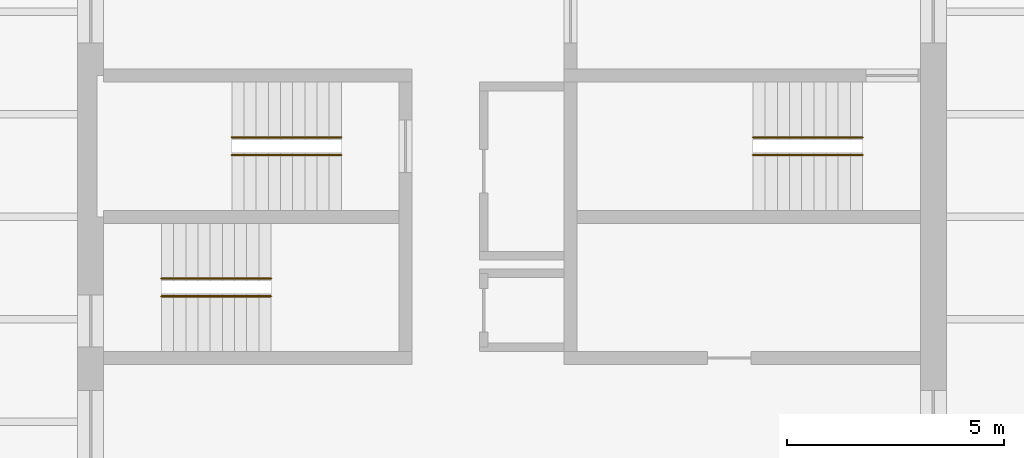
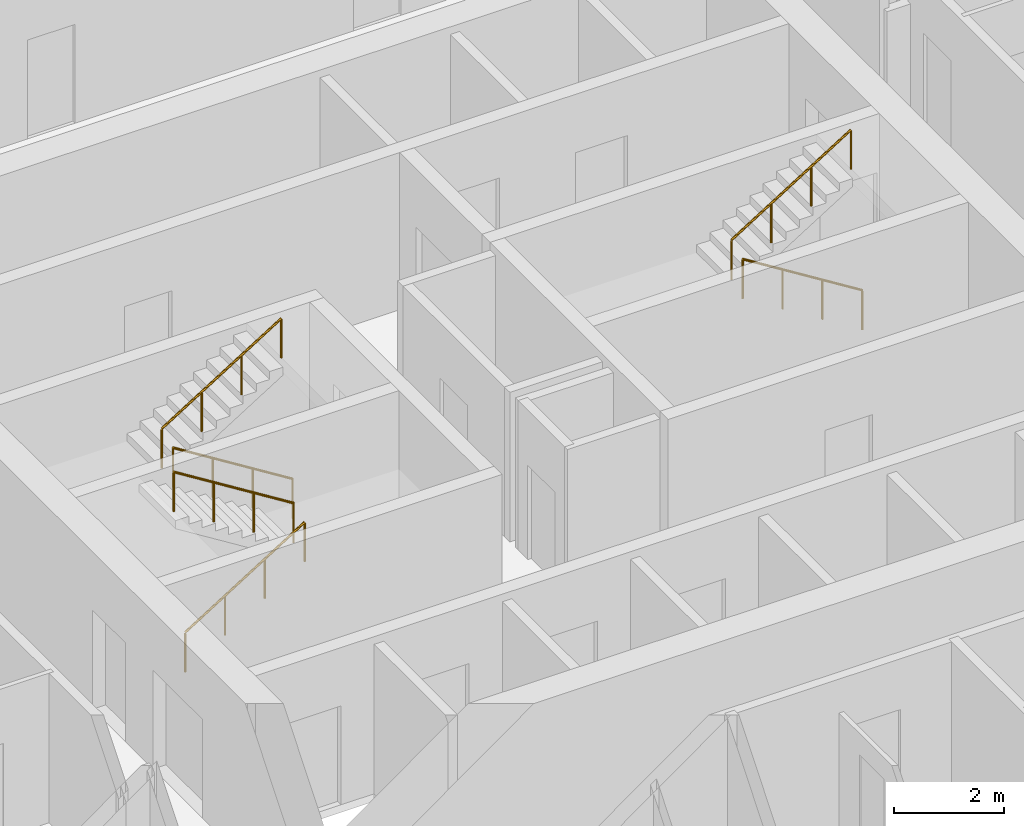
# One storey, part 9 of 9: 6 railings.
"""IFC4 building model written with IfcOpenShell, lengths in metres."""

from ifc_helpers import new_model, si_unit, direction, frame, origin, origin_2d, place, context, subcontext, project, spatial, circle, extrude, material, type_object, element, save


model = new_model("IFC4")

# Units and contexts
model_context = context("Model", 3, precision=1e-05, world=origin(), true_north=direction((0.0, 1.0)))
body_context = subcontext(model_context, "Body", "Model", "MODEL_VIEW")
ifc_project = project(units=[si_unit("LENGTHUNIT", "METRE"), si_unit("AREAUNIT", "SQUARE_METRE"), si_unit("VOLUMEUNIT", "CUBIC_METRE"), si_unit("PLANEANGLEUNIT", "RADIAN"), si_unit("MASSUNIT", "GRAM", prefix="KILO")], contexts=[model_context])

# Site, building, storey
site_placement = place(None, origin())
site = spatial("IfcSite", under=ifc_project, at=site_placement, CompositionType="ELEMENT")
building_placement = place(site_placement, origin())
building = spatial("IfcBuilding", under=site, at=building_placement, Name="Turquesa Mirador Hotel Tower", CompositionType="ELEMENT")
storey_placement = place(building_placement, frame((0.0, 0.0, 182.800048828125)))
storey = spatial("IfcBuildingStorey", under=building, at=storey_placement, Name="L49", CompositionType="ELEMENT", Elevation=182.800048828125)

# Railings
ifc_material = material(Name="Painted steel handrail", Category="steel")
railing_type = type_object("IfcRailingType", Name="HANDRAIL 900 STEEL", PredefinedType="HANDRAIL", material=ifc_material)
railing_1_placement = place(storey_placement, frame((51.070068359375, 46.419921875, 0.175048828125)))
element("IfcRailing", 1, at=railing_1_placement, inside=storey, type_object=railing_type, Name="Handrail ST1", PredefinedType="HANDRAIL", context=body_context, shape_type="SweptSolid", body=[
    extrude(circle(Radius=0.02392578125, at=origin_2d()), frame((0.0, 0.0, 0.8759765625), z_axis=(-0.848007534815, 0.0, 0.529984170421), x_axis=(0.0, -1.0, 0.0)), (0.0, 0.0, 1.0), 2.9716796875),
    extrude(circle(Radius=0.02099609375, at=origin_2d()), origin(), (0.0, 0.0, 1.0), 0.851806640625),
    extrude(circle(Radius=0.02099609375, at=origin_2d()), frame((-0.840087890625, 0.0, 0.52490234375)), (0.0, 0.0, 1.0), 0.851806640625),
    extrude(circle(Radius=0.02099609375, at=origin_2d()), frame((-1.679931640625, 0.0, 1.050048828125)), (0.0, 0.0, 1.0), 0.851806640625),
    extrude(circle(Radius=0.02099609375, at=origin_2d()), frame((-2.52001953125, 0.0, 1.574951171875)), (0.0, 0.0, 1.0), 0.851806640625),
])
for number, where, name in (
    (2, (48.550048828125, 46.830078125, 1.925048828125), "Handrail ST1"),
    (3, (46.929931640625, 43.169921875, 0.175048828125), "Handrail ST2"),
):
    element("IfcRailing", number, at=place(storey_placement, frame(where)), inside=storey, type_object=railing_type, Name=name, PredefinedType="HANDRAIL", context=body_context, shape_type="SweptSolid", body=[
        extrude(circle(Radius=0.02392578125, at=origin_2d()), frame((0.0, 0.0, 0.8759765625), z_axis=(0.848007534815, 0.0, 0.529984170421), x_axis=(0.0, 1.0, 0.0)), (0.0, 0.0, 1.0), 2.9716796875),
        extrude(circle(Radius=0.02099609375, at=origin_2d()), origin(), (0.0, 0.0, 1.0), 0.851806640625),
        extrude(circle(Radius=0.02099609375, at=origin_2d()), frame((0.840087890625, 0.0, 0.52490234375)), (0.0, 0.0, 1.0), 0.851806640625),
        extrude(circle(Radius=0.02099609375, at=origin_2d()), frame((1.679931640625, 0.0, 1.050048828125)), (0.0, 0.0, 1.0), 0.851806640625),
        extrude(circle(Radius=0.02099609375, at=origin_2d()), frame((2.52001953125, 0.0, 1.574951171875)), (0.0, 0.0, 1.0), 0.851806640625),
    ])
for number, where, name in (
    (4, (49.449951171875, 43.580078125, 1.925048828125), "Handrail ST2"),
    (5, (63.070068359375, 46.419921875, 0.175048828125), "Handrail ST3"),
):
    element("IfcRailing", number, at=place(storey_placement, frame(where)), inside=storey, type_object=railing_type, Name=name, PredefinedType="HANDRAIL", context=body_context, shape_type="SweptSolid", body=[
        extrude(circle(Radius=0.02392578125, at=origin_2d()), frame((0.0, 0.0, 0.8759765625), z_axis=(-0.848007534815, 0.0, 0.529984170421), x_axis=(0.0, -1.0, 0.0)), (0.0, 0.0, 1.0), 2.9716796875),
        extrude(circle(Radius=0.02099609375, at=origin_2d()), origin(), (0.0, 0.0, 1.0), 0.851806640625),
        extrude(circle(Radius=0.02099609375, at=origin_2d()), frame((-0.840087890625, 0.0, 0.52490234375)), (0.0, 0.0, 1.0), 0.851806640625),
        extrude(circle(Radius=0.02099609375, at=origin_2d()), frame((-1.679931640625, 0.0, 1.050048828125)), (0.0, 0.0, 1.0), 0.851806640625),
        extrude(circle(Radius=0.02099609375, at=origin_2d()), frame((-2.52001953125, 0.0, 1.574951171875)), (0.0, 0.0, 1.0), 0.851806640625),
    ])
railing_2_placement = place(storey_placement, frame((60.550048828125, 46.830078125, 1.925048828125)))
element("IfcRailing", 6, at=railing_2_placement, inside=storey, type_object=railing_type, Name="Handrail ST3", PredefinedType="HANDRAIL", context=body_context, shape_type="SweptSolid", body=[
    extrude(circle(Radius=0.02392578125, at=origin_2d()), frame((0.0, 0.0, 0.8759765625), z_axis=(0.848007534815, 0.0, 0.529984170421), x_axis=(0.0, 1.0, 0.0)), (0.0, 0.0, 1.0), 2.9716796875),
    extrude(circle(Radius=0.02099609375, at=origin_2d()), origin(), (0.0, 0.0, 1.0), 0.851806640625),
    extrude(circle(Radius=0.02099609375, at=origin_2d()), frame((0.840087890625, 0.0, 0.52490234375)), (0.0, 0.0, 1.0), 0.851806640625),
    extrude(circle(Radius=0.02099609375, at=origin_2d()), frame((1.679931640625, 0.0, 1.050048828125)), (0.0, 0.0, 1.0), 0.851806640625),
    extrude(circle(Radius=0.02099609375, at=origin_2d()), frame((2.52001953125, 0.0, 1.574951171875)), (0.0, 0.0, 1.0), 0.851806640625),
])

save(model, "model.ifc")
